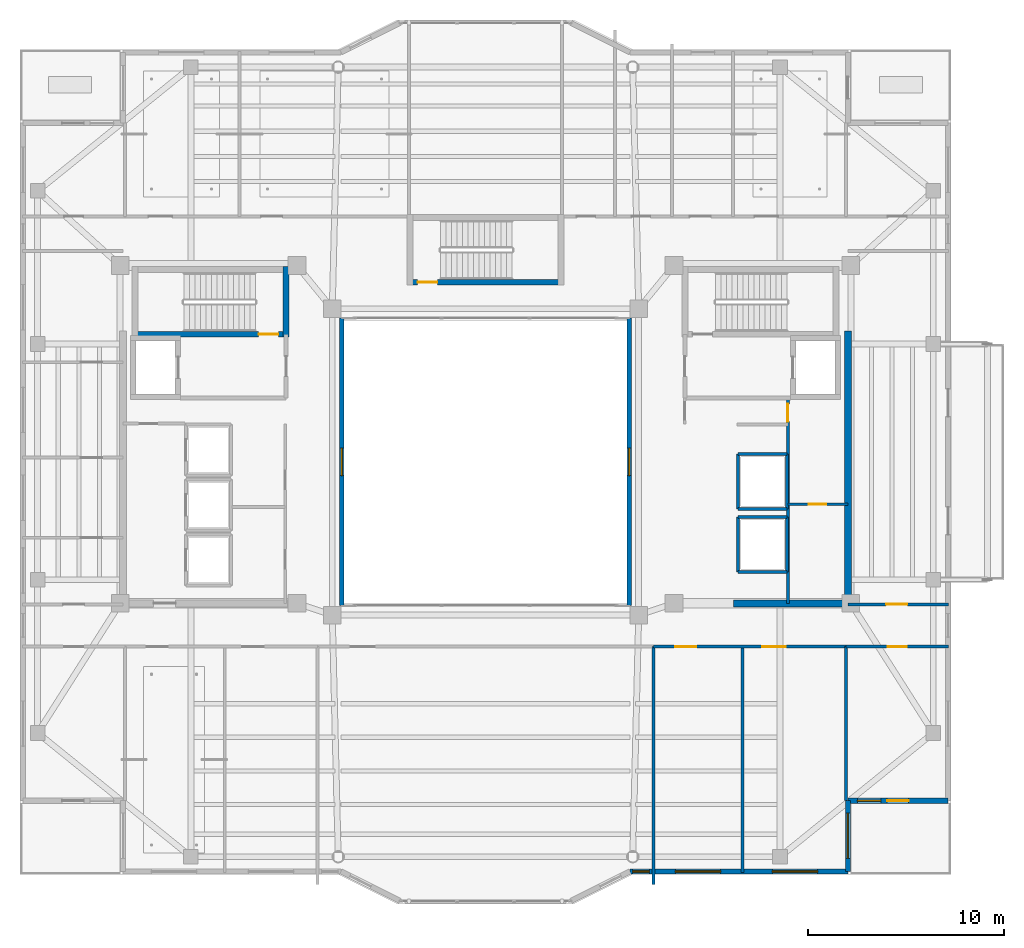
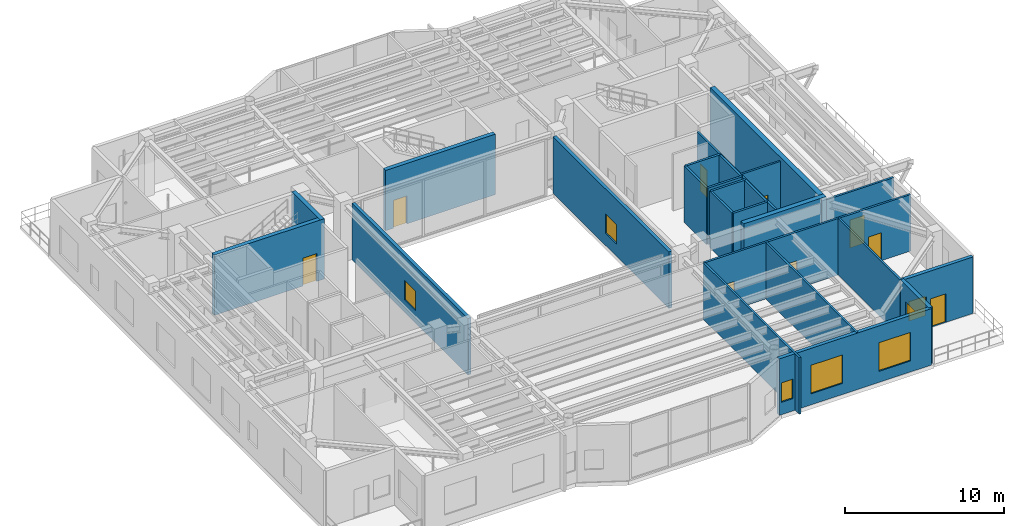
# One storey, part 13 of 23: 26 walls, 9 doors, 7 windows, 16 openings.
"""IFC4 building model written with IfcOpenShell, lengths in metres."""

from ifc_helpers import new_model, si_unit, direction, frame, frame_2d, origin, place, context, subcontext, project, spatial, rectangle, extrude, material, layer, layer_set, type_object, element, fill, save


model = new_model("IFC4")

# Units and contexts
model_context = context("Model", 3, precision=1e-05, world=origin(), true_north=direction((0.0, 1.0)))
body_context = subcontext(model_context, "Body", "Model", "MODEL_VIEW")
ifc_project = project(units=[si_unit("LENGTHUNIT", "METRE"), si_unit("AREAUNIT", "SQUARE_METRE"), si_unit("VOLUMEUNIT", "CUBIC_METRE"), si_unit("PLANEANGLEUNIT", "RADIAN"), si_unit("MASSUNIT", "GRAM", prefix="KILO")], contexts=[model_context])

# Site, building, storey
site_placement = place(None, origin())
site = spatial("IfcSite", under=ifc_project, at=site_placement, CompositionType="ELEMENT")
building_placement = place(site_placement, origin())
building = spatial("IfcBuilding", under=site, at=building_placement, Name="Tarnavaz Court Tower", CompositionType="ELEMENT")
storey_placement = place(building_placement, frame((0.0, 0.0, 227.10009765625)))
storey = spatial("IfcBuildingStorey", under=building, at=storey_placement, Name="L62", CompositionType="ELEMENT", Elevation=227.10009765625)

# Wall, opening, door
ifc_material_1 = material(Name="Concrete C50/60", Category="concrete")
ifc_layer_1 = layer(ifc_material_1, 0.300048828125)
ifc_layer_set_1 = layer_set([ifc_layer_1], Name="Concrete C50/60")
wall_type_1 = type_object("IfcWallType", Name="WL-CORE-300-C50", PredefinedType="SHEAR", material=ifc_layer_set_1)
wall_1_placement = place(storey_placement, frame((-18.0, 6.5, 0.0), z_axis=(0.0, 0.0, 1.0), x_axis=(1.0, 0.0, 0.0)))
wall_1 = element("IfcWall", 1, at=wall_1_placement, inside=storey, type_object=wall_type_1, Name="L62 West Stair Core Wall 002", PredefinedType="SHEAR", context=body_context, shape_type="SweptSolid", body=[
    extrude(rectangle(XDim=8.0, YDim=0.300048828125, at=frame_2d((4.0, 0.0))), origin(), (0.0, 0.0, 1.0), 4.64990234375),
])
opening_1_placement = place(wall_1_placement, frame((6.449951171875, 0.0, 0.0)))
opening_1 = element("IfcOpeningElement", 2, at=opening_1_placement, cuts=wall_1, Name="Opening D01", PredefinedType="OPENING", context=body_context, shape_type="SweptSolid", body=[
    extrude(rectangle(XDim=1.0, YDim=2.14990234375, at=frame_2d((0.5, 1.074951171875))), frame((0.0, 0.159912109375, 0.0), z_axis=(0.0, -1.0, 0.0), x_axis=(1.0, 0.0, 0.0)), (0.0, 0.0, 1.0), 0.320068359375),
])
ifc_material_2 = material(Name="Fire-Rated Hardwood Timber Core", Category="wood")
door_type_1 = type_object("IfcDoorType", Name="DR-FD90-1000", OperationType="NOTDEFINED", PredefinedType="DOOR", material=ifc_material_2)
door_1_placement = place(opening_1_placement, origin())
door_1 = element("IfcDoor", 3, at=door_1_placement, inside=storey, type_object=door_type_1, Name="L62 Stair ST-W1 Exit Door", OperationType="SINGLE_SWING_LEFT", OverallHeight=2.14990234375, OverallWidth=1.0, PredefinedType="DOOR", context=body_context, shape_type="SweptSolid", body=[
    extrude(rectangle(XDim=1.0, YDim=2.14990234375, at=frame_2d((0.5, 1.074951171875))), frame((0.0, 0.02490234375, 0.0), z_axis=(0.0, -1.0, 0.0), x_axis=(1.0, 0.0, 0.0)), (0.0, 0.0, 1.0), 0.050048828125),
])
fill(opening_1, door_1)

# Wall
wall_2_placement = place(storey_placement, frame((-10.14990234375, 6.35009765625, 0.0), z_axis=(0.0, 0.0, 1.0), x_axis=(0.0, 1.0, 0.0)))
element("IfcWall", 4, at=wall_2_placement, inside=storey, type_object=wall_type_1, Name="L62 West Stair Core Wall 004", PredefinedType="SHEAR", context=body_context, shape_type="SweptSolid", body=[
    extrude(rectangle(XDim=3.58984375, YDim=0.300048828125, at=frame_2d((1.794921875, 0.0))), origin(), (0.0, 0.0, 1.0), 4.64990234375),
])

# Wall, opening, door
wall_3_placement = place(storey_placement, frame((-4.0, 9.14990234375, 0.0), z_axis=(0.0, 0.0, 1.0), x_axis=(1.0, 0.0, 0.0)))
wall_3 = element("IfcWall", 5, at=wall_3_placement, inside=storey, type_object=wall_type_1, Name="L62 North Stair Core Wall 010", PredefinedType="SHEAR", context=body_context, shape_type="SweptSolid", body=[
    extrude(rectangle(XDim=8.0, YDim=0.300048828125, at=frame_2d((4.0, 0.0))), origin(), (0.0, 0.0, 1.0), 4.64990234375),
])
opening_2_placement = place(wall_3_placement, frame((0.550048828125, 0.0, 0.0)))
opening_2 = element("IfcOpeningElement", 6, at=opening_2_placement, cuts=wall_3, Name="Opening D01", PredefinedType="OPENING", context=body_context, shape_type="SweptSolid", body=[
    extrude(rectangle(XDim=1.0, YDim=2.14990234375, at=frame_2d((0.5, 1.074951171875))), frame((0.0, 0.159912109375, 0.0), z_axis=(0.0, -1.0, 0.0), x_axis=(1.0, 0.0, 0.0)), (0.0, 0.0, 1.0), 0.320068359375),
])
door_2_placement = place(opening_2_placement, origin())
door_2 = element("IfcDoor", 7, at=door_2_placement, inside=storey, type_object=door_type_1, Name="L62 Stair ST-N1 Exit Door", OperationType="SINGLE_SWING_LEFT", OverallHeight=2.14990234375, OverallWidth=1.0, PredefinedType="DOOR", context=body_context, shape_type="SweptSolid", body=[
    extrude(rectangle(XDim=1.0, YDim=2.14990234375, at=frame_2d((0.5, 1.074951171875))), frame((0.0, 0.02490234375, 0.0), z_axis=(0.0, -1.0, 0.0), x_axis=(1.0, 0.0, 0.0)), (0.0, 0.0, 1.0), 0.050048828125),
])
fill(opening_2, door_2)

# Walls
ifc_layer_2 = layer(ifc_material_1, 0.35009765625)
ifc_layer_set_2 = layer_set([ifc_layer_2], Name="Concrete C50/60")
wall_type_2 = type_object("IfcWallType", Name="WL-CORE-350-C50", PredefinedType="SHEAR", material=ifc_layer_set_2)
wall_4_placement = place(storey_placement, frame((18.449951171875, -7.375, 0.0), z_axis=(0.0, 0.0, 1.0), x_axis=(0.0, 1.0, 0.0)))
element("IfcWall", 8, at=wall_4_placement, inside=storey, type_object=wall_type_2, Name="L62 East Core Shear Wall 047", PredefinedType="SHEAR", context=body_context, shape_type="SweptSolid", body=[
    extrude(rectangle(XDim=14.050048828125, YDim=0.35009765625, at=frame_2d((7.02490234375, 0.0))), origin(), (0.0, 0.0, 1.0), 4.64990234375),
])
wall_5_placement = place(storey_placement, frame((12.625, -7.199951171875, 0.0), z_axis=(0.0, 0.0, 1.0), x_axis=(1.0, 0.0, 0.0)))
element("IfcWall", 9, at=wall_5_placement, inside=storey, type_object=wall_type_2, Name="L62 East Core South Shear Wall 048", PredefinedType="SHEAR", context=body_context, shape_type="SweptSolid", body=[
    extrude(rectangle(XDim=6.0, YDim=0.35009765625, at=frame_2d((3.0, 0.0))), origin(), (0.0, 0.0, 1.0), 4.64990234375),
])

# Wall, openings, door, window
ifc_material_3 = material(Name="Precast Concrete C40/50", Category="concrete")
ifc_layer_3 = layer(ifc_material_3, 0.260009765625)
ifc_layer_set_3 = layer_set([ifc_layer_3], Name="Precast Concrete C40/50")
wall_type_3 = type_object("IfcWallType", Name="WL-EXT-260", PredefinedType="SOLIDWALL", material=ifc_layer_set_3)
wall_6_placement = place(storey_placement, frame((23.550048828125, -17.25, 0.0), z_axis=(0.0, 0.0, 1.0), x_axis=(-1.0, 0.0, 0.0)))
wall_6 = element("IfcWall", 10, at=wall_6_placement, inside=storey, type_object=wall_type_3, Name="L62 Exterior Terracotta Facade Wall 13", PredefinedType="SOLIDWALL", context=body_context, shape_type="SweptSolid", body=[
    extrude(rectangle(XDim=5.10009765625, YDim=0.260009765625, at=frame_2d((2.550048828125, 0.0))), origin(), (0.0, 0.0, 1.0), 4.349853515625),
])
opening_3_placement = place(wall_6_placement, frame((2.0, 0.0, 0.0)))
opening_3 = element("IfcOpeningElement", 11, at=opening_3_placement, cuts=wall_6, Name="Opening TD1", PredefinedType="OPENING", context=body_context, shape_type="SweptSolid", body=[
    extrude(rectangle(XDim=1.10009765625, YDim=2.199951171875, at=frame_2d((0.550048828125, 1.10009765625))), frame((0.0, 0.139892578125, 0.0), z_axis=(0.0, -1.0, 0.0), x_axis=(1.0, 0.0, 0.0)), (0.0, 0.0, 1.0), 0.280029296875),
])
opening_4_placement = place(wall_6_placement, frame((3.419921875, 0.0, 0.949951171875)))
opening_4 = element("IfcOpeningElement", 12, at=opening_4_placement, cuts=wall_6, Name="Opening W05", PredefinedType="OPENING", context=body_context, shape_type="SweptSolid", body=[
    extrude(rectangle(XDim=1.199951171875, YDim=1.5, at=frame_2d((0.60009765625, 0.75))), frame((0.0, 0.139892578125, 0.0), z_axis=(0.0, -1.0, 0.0), x_axis=(1.0, 0.0, 0.0)), (0.0, 0.0, 1.0), 0.280029296875),
])
ifc_material_4 = material(Name="Thermally Broken Aluminium and Laminated Glass", Category="aluminium")
door_type_2 = type_object("IfcDoorType", Name="DR-TERR-1100", OperationType="NOTDEFINED", PredefinedType="DOOR", material=ifc_material_4)
door_3_placement = place(opening_3_placement, origin())
door_3 = element("IfcDoor", 13, at=door_3_placement, inside=storey, type_object=door_type_2, Name="L62 Sky Terrace Access Door 3", OperationType="SINGLE_SWING_LEFT", OverallHeight=2.199951171875, OverallWidth=1.10009765625, PredefinedType="DOOR", context=body_context, shape_type="SweptSolid", body=[
    extrude(rectangle(XDim=1.10009765625, YDim=2.199951171875, at=frame_2d((0.550048828125, 1.10009765625))), frame((0.0, 0.02490234375, 0.0), z_axis=(0.0, -1.0, 0.0), x_axis=(1.0, 0.0, 0.0)), (0.0, 0.0, 1.0), 0.050048828125),
])
fill(opening_3, door_3)
ifc_material_5 = material(Name="Double-Glazed Solar Low-E Glass", Category="glass")
window_type_1 = type_object("IfcWindowType", Name="WN-APT-1200", PartitioningType="SINGLE_PANEL", PredefinedType="WINDOW", material=ifc_material_5)
window_1_placement = place(opening_4_placement, origin())
window_1 = element("IfcWindow", 14, at=window_1_placement, inside=storey, type_object=window_type_1, Name="L62 L62 SE Terrace Salon Window", OverallHeight=1.5, OverallWidth=1.199951171875, PartitioningType="SINGLE_PANEL", PredefinedType="WINDOW", context=body_context, shape_type="SweptSolid", body=[
    extrude(rectangle(XDim=1.199951171875, YDim=1.5, at=frame_2d((0.60009765625, 0.75))), frame((0.0, 0.030029296875, 0.0), z_axis=(0.0, -1.0, 0.0), x_axis=(1.0, 0.0, 0.0)), (0.0, 0.0, 1.0), 0.06005859375),
])
fill(opening_4, window_1)

# Wall, opening, window
wall_7_placement = place(storey_placement, frame((18.449951171875, -17.25, 0.0), z_axis=(0.0, 0.0, 1.0), x_axis=(0.0, -1.0, 0.0)))
wall_7 = element("IfcWall", 15, at=wall_7_placement, inside=storey, type_object=wall_type_3, Name="L62 Exterior Terracotta Facade Wall 14", PredefinedType="SOLIDWALL", context=body_context, shape_type="SweptSolid", body=[
    extrude(rectangle(XDim=3.60009765625, YDim=0.260009765625, at=frame_2d((1.800048828125, 0.0))), origin(), (0.0, 0.0, 1.0), 4.349853515625),
])
opening_5_placement = place(wall_7_placement, frame((0.632568359375, 0.0, 0.85009765625)))
opening_5 = element("IfcOpeningElement", 16, at=opening_5_placement, cuts=wall_7, Name="Opening W12", PredefinedType="OPENING", context=body_context, shape_type="SweptSolid", body=[
    extrude(rectangle(XDim=2.300048828125, YDim=2.199951171875, at=frame_2d((1.14990234375, 1.10009765625))), frame((0.0, 0.139892578125, 0.0), z_axis=(0.0, -1.0, 0.0), x_axis=(1.0, 0.0, 0.0)), (0.0, 0.0, 1.0), 0.280029296875),
])
window_type_2 = type_object("IfcWindowType", Name="WN-COM-2300", PartitioningType="DOUBLE_PANEL_VERTICAL", PredefinedType="WINDOW", material=ifc_material_5)
window_2_placement = place(opening_5_placement, origin())
window_2 = element("IfcWindow", 17, at=window_2_placement, inside=storey, type_object=window_type_2, Name="L62 Sky-Pool Reception Salon Window", OverallHeight=2.199951171875, OverallWidth=2.300048828125, PartitioningType="SINGLE_PANEL", PredefinedType="WINDOW", context=body_context, shape_type="SweptSolid", body=[
    extrude(rectangle(XDim=2.300048828125, YDim=2.199951171875, at=frame_2d((1.14990234375, 1.10009765625))), frame((0.0, 0.030029296875, 0.0), z_axis=(0.0, -1.0, 0.0), x_axis=(1.0, 0.0, 0.0)), (0.0, 0.0, 1.0), 0.06005859375),
])
fill(opening_5, window_2)

# Wall, openings, windows
wall_8_placement = place(storey_placement, frame((18.449951171875, -20.85009765625, 0.0), z_axis=(0.0, 0.0, 1.0), x_axis=(-1.0, 0.0, 0.0)))
wall_8 = element("IfcWall", 18, at=wall_8_placement, inside=storey, type_object=wall_type_3, Name="L62 Exterior Terracotta Facade Wall 15", PredefinedType="SOLIDWALL", context=body_context, shape_type="SweptSolid", body=[
    extrude(rectangle(XDim=11.099853515625, YDim=0.260009765625, at=frame_2d((5.5498046875, 0.0))), origin(), (0.0, 0.0, 1.0), 4.349853515625),
])
opening_6_placement = place(wall_8_placement, frame((1.537109375, 0.0, 0.85009765625)))
opening_6 = element("IfcOpeningElement", 19, at=opening_6_placement, cuts=wall_8, Name="Opening W12", PredefinedType="OPENING", context=body_context, shape_type="SweptSolid", body=[
    extrude(rectangle(XDim=2.300048828125, YDim=2.199951171875, at=frame_2d((1.14990234375, 1.10009765625))), frame((0.0, 0.139892578125, 0.0), z_axis=(0.0, -1.0, 0.0), x_axis=(1.0, 0.0, 0.0)), (0.0, 0.0, 1.0), 0.280029296875),
])
opening_7_placement = place(wall_8_placement, frame((6.484375, 0.0, 0.85009765625)))
opening_7 = element("IfcOpeningElement", 20, at=opening_7_placement, cuts=wall_8, Name="Opening W12", PredefinedType="OPENING", context=body_context, shape_type="SweptSolid", body=[
    extrude(rectangle(XDim=2.300048828125, YDim=2.199951171875, at=frame_2d((1.14990234375, 1.10009765625))), frame((0.0, 0.139892578125, 0.0), z_axis=(0.0, -1.0, 0.0), x_axis=(1.0, 0.0, 0.0)), (0.0, 0.0, 1.0), 0.280029296875),
])
opening_8_placement = place(wall_8_placement, frame((10.1025390625, 0.0, 0.949951171875)))
opening_8 = element("IfcOpeningElement", 21, at=opening_8_placement, cuts=wall_8, Name="Opening W15", PredefinedType="OPENING", context=body_context, shape_type="SweptSolid", body=[
    extrude(rectangle(XDim=0.85009765625, YDim=1.5, at=frame_2d((0.425048828125, 0.75))), frame((0.0, 0.139892578125, 0.0), z_axis=(0.0, -1.0, 0.0), x_axis=(1.0, 0.0, 0.0)), (0.0, 0.0, 1.0), 0.280029296875),
])
window_type_3 = type_object("IfcWindowType", Name="WN-APT-850", PartitioningType="SINGLE_PANEL", PredefinedType="WINDOW", material=ifc_material_5)
window_3_placement = place(opening_8_placement, origin())
window_3 = element("IfcWindow", 22, at=window_3_placement, inside=storey, type_object=window_type_3, Name="L62 L62 Central Iwan Cultural Exhibition Hall Window", OverallHeight=1.5, OverallWidth=0.85009765625, PartitioningType="SINGLE_PANEL", PredefinedType="WINDOW", context=body_context, shape_type="SweptSolid", body=[
    extrude(rectangle(XDim=0.85009765625, YDim=1.5, at=frame_2d((0.425048828125, 0.75))), frame((0.0, 0.030029296875, 0.0), z_axis=(0.0, -1.0, 0.0), x_axis=(1.0, 0.0, 0.0)), (0.0, 0.0, 1.0), 0.06005859375),
])
fill(opening_8, window_3)
window_4_placement = place(opening_6_placement, origin())
window_4 = element("IfcWindow", 23, at=window_4_placement, inside=storey, type_object=window_type_2, Name="L62 Sky-Pool Reception Salon Window", OverallHeight=2.199951171875, OverallWidth=2.300048828125, PartitioningType="SINGLE_PANEL", PredefinedType="WINDOW", context=body_context, shape_type="SweptSolid", body=[
    extrude(rectangle(XDim=2.300048828125, YDim=2.199951171875, at=frame_2d((1.14990234375, 1.10009765625))), frame((0.0, 0.030029296875, 0.0), z_axis=(0.0, -1.0, 0.0), x_axis=(1.0, 0.0, 0.0)), (0.0, 0.0, 1.0), 0.06005859375),
])
fill(opening_6, window_4)
window_5_placement = place(opening_7_placement, origin())
window_5 = element("IfcWindow", 24, at=window_5_placement, inside=storey, type_object=window_type_2, Name="L62 L62 Residents Counseling Office Window", OverallHeight=2.199951171875, OverallWidth=2.300048828125, PartitioningType="SINGLE_PANEL", PredefinedType="WINDOW", context=body_context, shape_type="SweptSolid", body=[
    extrude(rectangle(XDim=2.300048828125, YDim=2.199951171875, at=frame_2d((1.14990234375, 1.10009765625))), frame((0.0, 0.030029296875, 0.0), z_axis=(0.0, -1.0, 0.0), x_axis=(1.0, 0.0, 0.0)), (0.0, 0.0, 1.0), 0.06005859375),
])
fill(opening_7, window_5)

# Wall, openings, doors
ifc_material_6 = material(Name="Gypsum Fire-Board on Acoustic Metal Stud", Category="masonry")
ifc_layer_4 = layer(ifc_material_6, 0.14990234375)
ifc_layer_set_4 = layer_set([ifc_layer_4], Name="Gypsum Fire-Board on Acoustic Metal Stud")
wall_type_4 = type_object("IfcWallType", Name="WL-FIRE-150", PredefinedType="PARTITIONING", material=ifc_layer_set_4)
wall_9_placement = place(storey_placement, frame((8.550048828125, -9.39990234375, 0.0), z_axis=(0.0, 0.0, 1.0), x_axis=(1.0, 0.0, 0.0)))
wall_9 = element("IfcWall", 25, at=wall_9_placement, inside=storey, type_object=wall_type_4, Name="L62 SE Lobby Wall 059", PredefinedType="PARTITIONING", context=body_context, shape_type="SweptSolid", body=[
    extrude(rectangle(XDim=9.800048828125, YDim=0.14990234375, at=frame_2d((4.89990234375, 0.0))), origin(), (0.0, 0.0, 1.0), 4.349853515625),
])
opening_9_placement = place(wall_9_placement, frame((1.10009765625, 0.0, 0.0)))
opening_9 = element("IfcOpeningElement", 26, at=opening_9_placement, cuts=wall_9, Name="Opening D12", PredefinedType="OPENING", context=body_context, shape_type="SweptSolid", body=[
    extrude(rectangle(XDim=1.080078125, YDim=2.14990234375, at=frame_2d((0.5400390625, 1.074951171875))), frame((0.0, 0.0849609375, 0.0), z_axis=(0.0, -1.0, 0.0), x_axis=(1.0, 0.0, 0.0)), (0.0, 0.0, 1.0), 0.169921875),
])
opening_10_placement = place(wall_9_placement, frame((5.534912109375, 0.0, 0.0)))
opening_10 = element("IfcOpeningElement", 27, at=opening_10_placement, cuts=wall_9, Name="Opening D11", PredefinedType="OPENING", context=body_context, shape_type="SweptSolid", body=[
    extrude(rectangle(XDim=1.199951171875, YDim=2.14990234375, at=frame_2d((0.60009765625, 1.074951171875))), frame((0.0, 0.0849609375, 0.0), z_axis=(0.0, -1.0, 0.0), x_axis=(1.0, 0.0, 0.0)), (0.0, 0.0, 1.0), 0.169921875),
])
ifc_material_7 = material(Name="Engineered Oak Timber", Category="wood")
door_type_3 = type_object("IfcDoorType", Name="DR-INT-1100", OperationType="NOTDEFINED", PredefinedType="DOOR", material=ifc_material_7)
door_4_placement = place(opening_9_placement, origin())
door_4 = element("IfcDoor", 28, at=door_4_placement, inside=storey, type_object=door_type_3, Name="L62 Counseling Office Door", OperationType="SINGLE_SWING_LEFT", OverallHeight=2.14990234375, OverallWidth=1.080078125, PredefinedType="DOOR", context=body_context, shape_type="SweptSolid", body=[
    extrude(rectangle(XDim=1.080078125, YDim=2.14990234375, at=frame_2d((0.5400390625, 1.074951171875))), frame((0.0, 0.02490234375, 0.0), z_axis=(0.0, -1.0, 0.0), x_axis=(1.0, 0.0, 0.0)), (0.0, 0.0, 1.0), 0.050048828125),
])
fill(opening_9, door_4)
door_type_4 = type_object("IfcDoorType", Name="DR-INT-1200", OperationType="NOTDEFINED", PredefinedType="DOOR", material=ifc_material_7)
door_5_placement = place(opening_10_placement, origin())
door_5 = element("IfcDoor", 29, at=door_5_placement, inside=storey, type_object=door_type_4, Name="L62 Sky-Pool Reception Salon Door", OperationType="SINGLE_SWING_RIGHT", OverallHeight=2.14990234375, OverallWidth=1.199951171875, PredefinedType="DOOR", context=body_context, shape_type="SweptSolid", body=[
    extrude(rectangle(XDim=1.199951171875, YDim=2.14990234375, at=frame_2d((0.60009765625, 1.074951171875))), frame((0.0, 0.02490234375, 0.0), z_axis=(0.0, -1.0, 0.0), x_axis=(1.0, 0.0, 0.0)), (0.0, 0.0, 1.0), 0.050048828125),
])
fill(opening_10, door_5)

# Wall, opening, door
wall_10_placement = place(storey_placement, frame((18.449951171875, -7.25, 0.0), z_axis=(0.0, 0.0, 1.0), x_axis=(1.0, 0.0, 0.0)))
wall_10 = element("IfcWall", 30, at=wall_10_placement, inside=storey, type_object=wall_type_4, Name="L62 Interior Partition 072", PredefinedType="PARTITIONING", context=body_context, shape_type="SweptSolid", body=[
    extrude(rectangle(XDim=5.130126953125, YDim=0.14990234375, at=frame_2d((2.56494140625, 0.0))), origin(), (0.0, 0.0, 1.0), 4.349853515625),
])
opening_11_placement = place(wall_10_placement, frame((1.949951171875, 0.0, 0.0)))
opening_11 = element("IfcOpeningElement", 31, at=opening_11_placement, cuts=wall_10, Name="Opening D12", PredefinedType="OPENING", context=body_context, shape_type="SweptSolid", body=[
    extrude(rectangle(XDim=1.080078125, YDim=2.14990234375, at=frame_2d((0.5400390625, 1.074951171875))), frame((0.0, 0.0849609375, 0.0), z_axis=(0.0, -1.0, 0.0), x_axis=(1.0, 0.0, 0.0)), (0.0, 0.0, 1.0), 0.169921875),
])
door_6_placement = place(opening_11_placement, origin())
door_6 = element("IfcDoor", 32, at=door_6_placement, inside=storey, type_object=door_type_3, Name="L62 East Sky-Pool Pavilion Door", OperationType="SINGLE_SWING_LEFT", OverallHeight=2.14990234375, OverallWidth=1.080078125, PredefinedType="DOOR", context=body_context, shape_type="SweptSolid", body=[
    extrude(rectangle(XDim=1.080078125, YDim=2.14990234375, at=frame_2d((0.5400390625, 1.074951171875))), frame((0.0, 0.02490234375, 0.0), z_axis=(0.0, -1.0, 0.0), x_axis=(1.0, 0.0, 0.0)), (0.0, 0.0, 1.0), 0.050048828125),
])
fill(opening_11, door_6)

wall_11_placement = place(storey_placement, frame((18.35009765625, -9.39990234375, 0.0), z_axis=(0.0, 0.0, 1.0), x_axis=(1.0, 0.0, 0.0)))
wall_11 = element("IfcWall", 33, at=wall_11_placement, inside=storey, type_object=wall_type_4, Name="L62 Interior Partition 082", PredefinedType="PARTITIONING", context=body_context, shape_type="SweptSolid", body=[
    extrude(rectangle(XDim=5.22998046875, YDim=0.14990234375, at=frame_2d((2.614990234375, 0.0))), origin(), (0.0, 0.0, 1.0), 4.349853515625),
])
opening_12_placement = place(wall_11_placement, frame((2.139892578125, 0.0, 0.0)))
opening_12 = element("IfcOpeningElement", 34, at=opening_12_placement, cuts=wall_11, Name="Opening D13", PredefinedType="OPENING", context=body_context, shape_type="SweptSolid", body=[
    extrude(rectangle(XDim=0.949951171875, YDim=2.14990234375, at=frame_2d((0.47509765625, 1.074951171875))), frame((0.0, 0.0849609375, 0.0), z_axis=(0.0, -1.0, 0.0), x_axis=(1.0, 0.0, 0.0)), (0.0, 0.0, 1.0), 0.169921875),
])
door_type_5 = type_object("IfcDoorType", Name="DR-INT-950", OperationType="NOTDEFINED", PredefinedType="DOOR", material=ifc_material_7)
door_7_placement = place(opening_12_placement, origin())
door_7 = element("IfcDoor", 35, at=door_7_placement, inside=storey, type_object=door_type_5, Name="L62 SE Terrace Salon Door", OperationType="SINGLE_SWING_RIGHT", OverallHeight=2.14990234375, OverallWidth=0.949951171875, PredefinedType="DOOR", context=body_context, shape_type="SweptSolid", body=[
    extrude(rectangle(XDim=0.949951171875, YDim=2.14990234375, at=frame_2d((0.47509765625, 1.074951171875))), frame((0.0, 0.02490234375, 0.0), z_axis=(0.0, -1.0, 0.0), x_axis=(1.0, 0.0, 0.0)), (0.0, 0.0, 1.0), 0.050048828125),
])
fill(opening_12, door_7)

ifc_material_8 = material(Name="Gypsum Plasterboard Acoustic Partition", Category="masonry")
ifc_layer_5 = layer(ifc_material_8, 0.139892578125)
ifc_layer_set_5 = layer_set([ifc_layer_5], Name="Gypsum Plasterboard Acoustic Partition")
wall_type_5 = type_object("IfcWallType", Name="WL-PART-150", PredefinedType="PARTITIONING", material=ifc_layer_set_5)
wall_12_placement = place(storey_placement, frame((15.39990234375, -7.199951171875, 0.0), z_axis=(0.0, 0.0, 1.0), x_axis=(0.0, 1.0, 0.0)))
wall_12 = element("IfcWall", 36, at=wall_12_placement, inside=storey, type_object=wall_type_5, Name="L62 Interior Partition 054", PredefinedType="PARTITIONING", context=body_context, shape_type="SweptSolid", body=[
    extrude(rectangle(XDim=10.449951171875, YDim=0.139892578125, at=frame_2d((5.22509765625, 0.0))), origin(), (0.0, 0.0, 1.0), 4.349853515625),
])
opening_13_placement = place(wall_12_placement, frame((9.25, 0.0, 0.0)))
opening_13 = element("IfcOpeningElement", 37, at=opening_13_placement, cuts=wall_12, Name="Opening D09", PredefinedType="OPENING", context=body_context, shape_type="SweptSolid", body=[
    extrude(rectangle(XDim=0.89990234375, YDim=2.080078125, at=frame_2d((0.449951171875, 1.0400390625))), frame((0.0, 0.079833984375, 0.0), z_axis=(0.0, -1.0, 0.0), x_axis=(1.0, 0.0, 0.0)), (0.0, 0.0, 1.0), 0.159912109375),
])
door_type_6 = type_object("IfcDoorType", Name="DR-FD30-900", OperationType="NOTDEFINED", PredefinedType="DOOR", material=ifc_material_2)
door_8_placement = place(opening_13_placement, origin())
door_8 = element("IfcDoor", 38, at=door_8_placement, inside=storey, type_object=door_type_6, Name="L62 East Wet Riser Door", OperationType="SINGLE_SWING_RIGHT", OverallHeight=2.080078125, OverallWidth=0.89990234375, PredefinedType="DOOR", context=body_context, shape_type="SweptSolid", body=[
    extrude(rectangle(XDim=0.89990234375, YDim=2.080078125, at=frame_2d((0.449951171875, 1.0400390625))), frame((0.0, 0.02490234375, 0.0), z_axis=(0.0, -1.0, 0.0), x_axis=(1.0, 0.0, 0.0)), (0.0, 0.0, 1.0), 0.050048828125),
])
fill(opening_13, door_8)

wall_13_placement = place(storey_placement, frame((15.39990234375, -2.14990234375, 0.0), z_axis=(0.0, 0.0, 1.0), x_axis=(1.0, 0.0, 0.0)))
wall_13 = element("IfcWall", 39, at=wall_13_placement, inside=storey, type_object=wall_type_5, Name="L62 Interior Partition 055", PredefinedType="PARTITIONING", context=body_context, shape_type="SweptSolid", body=[
    extrude(rectangle(XDim=3.050048828125, YDim=0.139892578125, at=frame_2d((1.52490234375, 0.0))), origin(), (0.0, 0.0, 1.0), 4.349853515625),
])
opening_14_placement = place(wall_13_placement, frame((1.050048828125, 0.0, 0.0)))
opening_14 = element("IfcOpeningElement", 40, at=opening_14_placement, cuts=wall_13, Name="Opening D09", PredefinedType="OPENING", context=body_context, shape_type="SweptSolid", body=[
    extrude(rectangle(XDim=0.89990234375, YDim=2.080078125, at=frame_2d((0.449951171875, 1.0400390625))), frame((0.0, 0.079833984375, 0.0), z_axis=(0.0, -1.0, 0.0), x_axis=(1.0, 0.0, 0.0)), (0.0, 0.0, 1.0), 0.159912109375),
])
door_9_placement = place(opening_14_placement, origin())
door_9 = element("IfcDoor", 41, at=door_9_placement, inside=storey, type_object=door_type_6, Name="L62 East Electrical Plant Door", OperationType="SINGLE_SWING_LEFT", OverallHeight=2.080078125, OverallWidth=0.89990234375, PredefinedType="DOOR", context=body_context, shape_type="SweptSolid", body=[
    extrude(rectangle(XDim=0.89990234375, YDim=2.080078125, at=frame_2d((0.449951171875, 1.0400390625))), frame((0.0, 0.02490234375, 0.0), z_axis=(0.0, -1.0, 0.0), x_axis=(1.0, 0.0, 0.0)), (0.0, 0.0, 1.0), 0.050048828125),
])
fill(opening_14, door_9)

# Walls
wall_14_placement = place(storey_placement, frame((8.550048828125, -21.50390625, 0.0), z_axis=(0.0, 0.0, 1.0), x_axis=(0.0, 1.0, 0.0)))
element("IfcWall", 42, at=wall_14_placement, inside=storey, type_object=wall_type_5, Name="L62 Interior Partition 068", PredefinedType="PARTITIONING", context=body_context, shape_type="SweptSolid", body=[
    extrude(rectangle(XDim=12.10400390625, YDim=0.139892578125, at=frame_2d((6.052001953125, 0.0))), origin(), (0.0, 0.0, 1.0), 4.349853515625),
])
wall_15_placement = place(storey_placement, frame((13.0849609375, -20.89990234375, 0.0), z_axis=(0.0, 0.0, 1.0), x_axis=(0.0, 1.0, 0.0)))
element("IfcWall", 43, at=wall_15_placement, inside=storey, type_object=wall_type_5, Name="L62 Interior Partition 069", PredefinedType="PARTITIONING", context=body_context, shape_type="SweptSolid", body=[
    extrude(rectangle(XDim=11.5, YDim=0.139892578125, at=frame_2d((5.75, 0.0))), origin(), (0.0, 0.0, 1.0), 4.349853515625),
])
wall_16_placement = place(storey_placement, frame((18.35009765625, -17.25, 0.0), z_axis=(0.0, 0.0, 1.0), x_axis=(0.0, 1.0, 0.0)))
element("IfcWall", 44, at=wall_16_placement, inside=storey, type_object=wall_type_5, Name="L62 Interior Partition 076", PredefinedType="PARTITIONING", context=body_context, shape_type="SweptSolid", body=[
    extrude(rectangle(XDim=7.85009765625, YDim=0.139892578125, at=frame_2d((3.925048828125, 0.0))), origin(), (0.0, 0.0, 1.0), 4.349853515625),
])
ifc_material_9 = material(Name="Autoclaved Aerated Concrete Blockwork", Category="masonry")
ifc_layer_6 = layer(ifc_material_9, 0.159912109375)
ifc_layer_set_6 = layer_set([ifc_layer_6], Name="Autoclaved Aerated Concrete Blockwork")
wall_type_6 = type_object("IfcWallType", Name="WL-SHAFT-150", PredefinedType="SOLIDWALL", material=ifc_layer_set_6)
for number, where, z_axis, x_axis, name in (
    (45, (12.85009765625, -5.60009765625, 0.0), (0.0, 0.0, 1.0), (0.0, 1.0, 0.0), "L62 Lift PL-OB1 Shaft Wall 037"),
    (46, (15.35009765625, -5.60009765625, 0.0), (0.0, 0.0, 1.0), (0.0, 1.0, 0.0), "L62 Lift PL-OB1 Shaft Wall 038"),
):
    element("IfcWall", number, at=place(storey_placement, frame(where, z_axis=z_axis, x_axis=x_axis)), inside=storey, type_object=wall_type_6, Name=name, PredefinedType="SOLIDWALL", context=body_context, shape_type="SweptSolid", body=[
        extrude(rectangle(XDim=2.800048828125, YDim=0.159912109375, at=frame_2d((1.39990234375, 0.0))), origin(), (0.0, 0.0, 1.0), 4.349853515625),
    ])
for number, where, z_axis, x_axis, name in (
    (47, (12.85009765625, -5.60009765625, 0.0), (0.0, 0.0, 1.0), (1.0, 0.0, 0.0), "L62 Lift PL-OB1 Shaft Wall 039"),
    (48, (12.85009765625, -2.800048828125, 0.0), (0.0, 0.0, 1.0), (1.0, 0.0, 0.0), "L62 Lift PL-OB1 Shaft Wall 040"),
):
    element("IfcWall", number, at=place(storey_placement, frame(where, z_axis=z_axis, x_axis=x_axis)), inside=storey, type_object=wall_type_6, Name=name, PredefinedType="SOLIDWALL", context=body_context, shape_type="SweptSolid", body=[
        extrude(rectangle(XDim=2.5, YDim=0.159912109375, at=frame_2d((1.25, 0.0))), origin(), (0.0, 0.0, 1.0), 4.349853515625),
    ])
for number, where, z_axis, x_axis, name in (
    (49, (12.85009765625, -2.39990234375, 0.0), (0.0, 0.0, 1.0), (0.0, 1.0, 0.0), "L62 Lift PL-OB2 Shaft Wall 041"),
    (50, (15.35009765625, -2.39990234375, 0.0), (0.0, 0.0, 1.0), (0.0, 1.0, 0.0), "L62 Lift PL-OB2 Shaft Wall 042"),
):
    element("IfcWall", number, at=place(storey_placement, frame(where, z_axis=z_axis, x_axis=x_axis)), inside=storey, type_object=wall_type_6, Name=name, PredefinedType="SOLIDWALL", context=body_context, shape_type="SweptSolid", body=[
        extrude(rectangle(XDim=2.7998046875, YDim=0.159912109375, at=frame_2d((1.39990234375, 0.0))), origin(), (0.0, 0.0, 1.0), 4.349853515625),
    ])
for number, where, z_axis, x_axis, name in (
    (51, (12.85009765625, -2.39990234375, 0.0), (0.0, 0.0, 1.0), (1.0, 0.0, 0.0), "L62 Lift PL-OB2 Shaft Wall 043"),
    (52, (12.85009765625, 0.39990234375, 0.0), (0.0, 0.0, 1.0), (1.0, 0.0, 0.0), "L62 Lift PL-OB2 Shaft Wall 044"),
):
    element("IfcWall", number, at=place(storey_placement, frame(where, z_axis=z_axis, x_axis=x_axis)), inside=storey, type_object=wall_type_6, Name=name, PredefinedType="SOLIDWALL", context=body_context, shape_type="SweptSolid", body=[
        extrude(rectangle(XDim=2.5, YDim=0.159912109375, at=frame_2d((1.25, 0.0))), origin(), (0.0, 0.0, 1.0), 4.349853515625),
    ])

# Wall, opening, window
ifc_layer_7 = layer(ifc_material_3, 0.239990234375)
ifc_layer_set_7 = layer_set([ifc_layer_7], Name="Precast Concrete C40/50")
wall_type_7 = type_object("IfcWallType", Name="WL-WELL-240", PredefinedType="SOLIDWALL", material=ifc_layer_set_7)
wall_17_placement = place(storey_placement, frame((7.320068359375, -7.320068359375, 0.0), z_axis=(0.0, 0.0, 1.0), x_axis=(0.0, 1.0, 0.0)))
wall_17 = element("IfcWall", 53, at=wall_17_placement, inside=storey, type_object=wall_type_7, Name="L62 Badgir Light-Well Exterior Wall E", PredefinedType="SOLIDWALL", context=body_context, shape_type="SweptSolid", body=[
    extrude(rectangle(XDim=14.64013671875, YDim=0.239990234375, at=frame_2d((7.320068359375, 0.0))), origin(), (0.0, 0.0, 1.0), 4.349853515625),
])
opening_15_placement = place(wall_17_placement, frame((6.6201171875, 0.0, 0.949951171875)))
opening_15 = element("IfcOpeningElement", 54, at=opening_15_placement, cuts=wall_17, Name="Opening W13", PredefinedType="OPENING", context=body_context, shape_type="SweptSolid", body=[
    extrude(rectangle(XDim=1.39990234375, YDim=1.5, at=frame_2d((0.699951171875, 0.75))), frame((0.0, 0.1298828125, 0.0), z_axis=(0.0, -1.0, 0.0), x_axis=(1.0, 0.0, 0.0)), (0.0, 0.0, 1.0), 0.260009765625),
])
window_type_4 = type_object("IfcWindowType", Name="WN-WEL-1400", PartitioningType="SINGLE_PANEL", PredefinedType="WINDOW", material=ifc_material_5)
window_6_placement = place(opening_15_placement, origin())
window_6 = element("IfcWindow", 55, at=window_6_placement, inside=storey, type_object=window_type_4, Name="L62 Courtyard Gallery Window E", OverallHeight=1.5, OverallWidth=1.39990234375, PartitioningType="SINGLE_PANEL", PredefinedType="WINDOW", context=body_context, shape_type="SweptSolid", body=[
    extrude(rectangle(XDim=1.39990234375, YDim=1.5, at=frame_2d((0.699951171875, 0.75))), frame((0.0, 0.030029296875, 0.0), z_axis=(0.0, -1.0, 0.0), x_axis=(1.0, 0.0, 0.0)), (0.0, 0.0, 1.0), 0.06005859375),
])
fill(opening_15, window_6)

wall_18_placement = place(storey_placement, frame((-7.320068359375, 7.320068359375, 0.0), z_axis=(0.0, 0.0, 1.0), x_axis=(0.0, -1.0, 0.0)))
wall_18 = element("IfcWall", 56, at=wall_18_placement, inside=storey, type_object=wall_type_7, Name="L62 Badgir Light-Well Exterior Wall W", PredefinedType="SOLIDWALL", context=body_context, shape_type="SweptSolid", body=[
    extrude(rectangle(XDim=14.64013671875, YDim=0.239990234375, at=frame_2d((7.320068359375, 0.0))), origin(), (0.0, 0.0, 1.0), 4.349853515625),
])
opening_16_placement = place(wall_18_placement, frame((6.6201171875, 0.0, 0.949951171875)))
opening_16 = element("IfcOpeningElement", 57, at=opening_16_placement, cuts=wall_18, Name="Opening W13", PredefinedType="OPENING", context=body_context, shape_type="SweptSolid", body=[
    extrude(rectangle(XDim=1.39990234375, YDim=1.5, at=frame_2d((0.699951171875, 0.75))), frame((0.0, 0.1298828125, 0.0), z_axis=(0.0, -1.0, 0.0), x_axis=(1.0, 0.0, 0.0)), (0.0, 0.0, 1.0), 0.260009765625),
])
window_7_placement = place(opening_16_placement, origin())
window_7 = element("IfcWindow", 58, at=window_7_placement, inside=storey, type_object=window_type_4, Name="L62 Courtyard Gallery Window W", OverallHeight=1.5, OverallWidth=1.39990234375, PartitioningType="SINGLE_PANEL", PredefinedType="WINDOW", context=body_context, shape_type="SweptSolid", body=[
    extrude(rectangle(XDim=1.39990234375, YDim=1.5, at=frame_2d((0.699951171875, 0.75))), frame((0.0, 0.030029296875, 0.0), z_axis=(0.0, -1.0, 0.0), x_axis=(1.0, 0.0, 0.0)), (0.0, 0.0, 1.0), 0.06005859375),
])
fill(opening_16, window_7)

save(model, "model.ifc")
